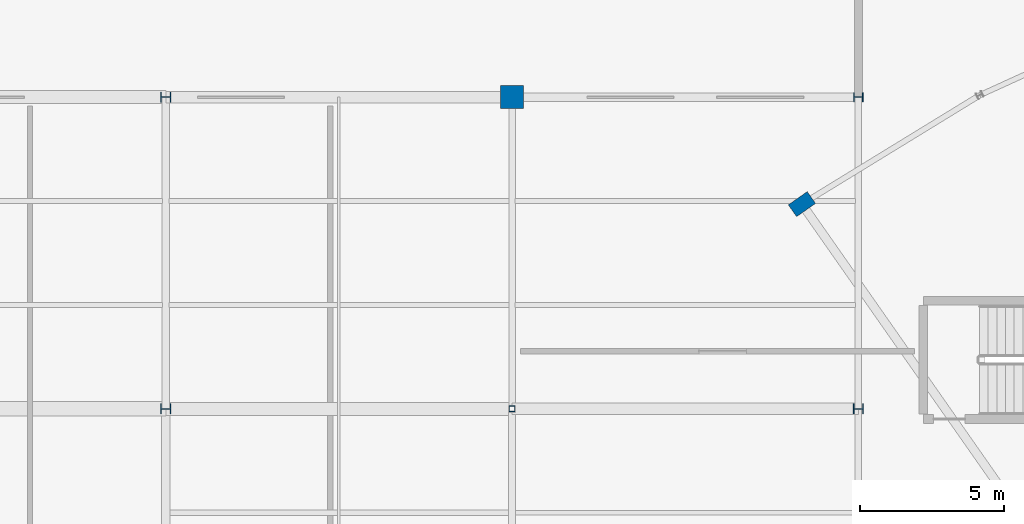
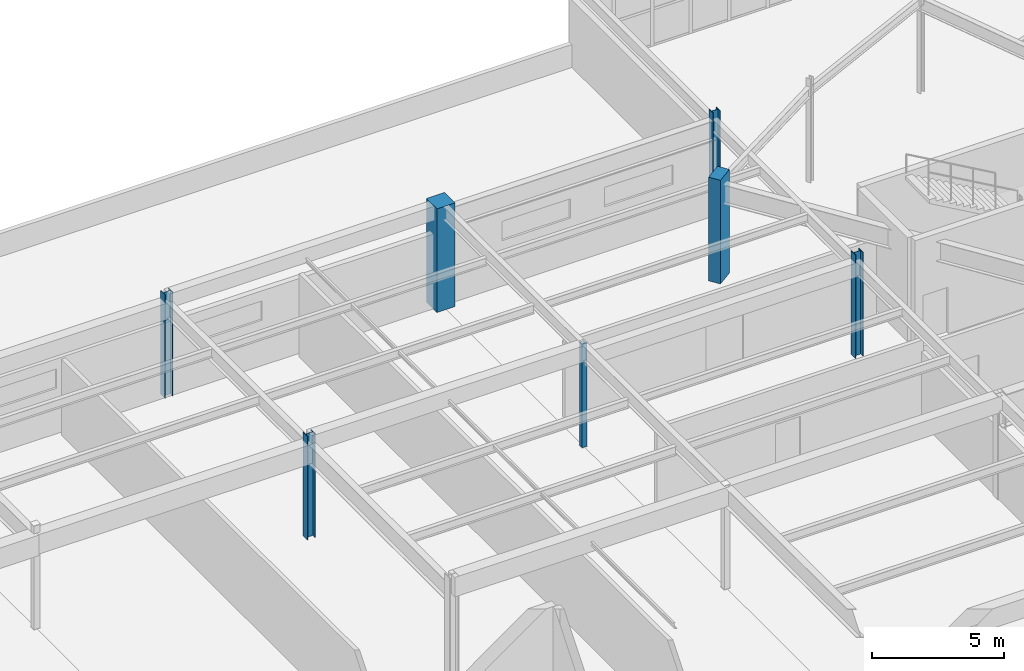
# One storey, part 21 of 186: 7 columns.
"""IFC4 building model written with IfcOpenShell, lengths in metres."""

import ifcopenshell
import ifcopenshell.guid

model = None  # the IFC model being written
_history = None  # IfcOwnerHistory: only IFC2X3 demands one
_inside = {}  # id of a spatial element -> (the spatial element, [elements in it])
_under = {}  # id of a project, library or spatial element -> (it, [spatial elements below it])
_declared = {}  # id of a project -> (the project, [libraries it declares])
_typed = {}  # id of a type object -> (the type object, [elements of that type])
_made_of = {}  # id of a material, layer set ... -> (it, [elements and type objects made of it])


def new_model(schema):
    """Start an empty IFC model of exactly this schema.

    Asked for "IFC4X3", IfcOpenShell would pick the latest addendum, in which some entities
    have other attributes; the version numbers below select the first issue.
    IFC2X3 requires an IfcOwnerHistory on every rooted entity: one is made here for all.
    """
    global model, _history
    if schema == "IFC4X3":
        model = ifcopenshell.file(schema_version=(4, 3, 0, 0))
    else:
        model = ifcopenshell.file(schema=schema)
    _inside.clear()
    _under.clear()
    _declared.clear()
    _typed.clear()
    _made_of.clear()
    _history = None
    if model.schema == "IFC2X3":
        org = make("IfcOrganization", Name="unknown")
        user = make(
            "IfcPersonAndOrganization",
            ThePerson=make("IfcPerson", FamilyName="unknown"),
            TheOrganization=org,
        )
        app = make(
            "IfcApplication",
            ApplicationDeveloper=org,
            Version="unknown",
            ApplicationFullName="unknown",
            ApplicationIdentifier="unknown",
        )
        _history = make(
            "IfcOwnerHistory",
            OwningUser=user,
            OwningApplication=app,
            ChangeAction="ADDED",
            CreationDate=0,
        )
    return model


def make(cls, **values):
    """One entity of the class cls with the attributes given. An attribute that is None is left unset."""
    return model.create_entity(
        cls, **{name: value for name, value in values.items() if value is not None}
    )


def rooted(cls, **values):
    """An entity with a GlobalId (a new one), such as an element, a storey or a relation."""
    return make(cls, GlobalId=ifcopenshell.guid.new(), OwnerHistory=_history, **values)


def si_unit(unit_type, name, prefix=None):
    """IfcSIUnit, for example si_unit("LENGTHUNIT", "METRE", prefix="MILLI")."""
    return make("IfcSIUnit", UnitType=unit_type, Prefix=prefix, Name=name)


def assignment(units):
    """IfcUnitAssignment: the units of a project."""
    return None if units is None else make("IfcUnitAssignment", Units=units)


def point(xyz):
    """IfcCartesianPoint."""
    return None if xyz is None else make("IfcCartesianPoint", Coordinates=xyz)


def direction(xyz):
    """IfcDirection."""
    return None if xyz is None else make("IfcDirection", DirectionRatios=xyz)


def frame(location, z_axis=None, x_axis=None):
    """IfcAxis2Placement3D, a coordinate frame: its origin and axes. An axis left out is left unset."""
    return make(
        "IfcAxis2Placement3D",
        Location=point(location),
        Axis=direction(z_axis),
        RefDirection=direction(x_axis),
    )


def frame_2d(location, x_axis=None):
    """IfcAxis2Placement2D, a coordinate frame in the plane: its origin and x axis."""
    return make(
        "IfcAxis2Placement2D", Location=point(location), RefDirection=direction(x_axis)
    )


def origin():
    """The frame at (0, 0, 0) with its axes left unset."""
    return frame((0.0, 0.0, 0.0))


def origin_2d():
    """The frame at (0, 0) in the plane with its x axis left unset."""
    return frame_2d((0.0, 0.0))


def place(relative_to, where):
    """IfcLocalPlacement: puts the frame where relative to a parent placement (None: the world)."""
    return make(
        "IfcLocalPlacement", PlacementRelTo=relative_to, RelativePlacement=where
    )


def context(
    kind, dimensions, precision=None, world=None, true_north=None, identifier=None
):
    """IfcGeometricRepresentationContext, for example the 3D "Model" context."""
    return make(
        "IfcGeometricRepresentationContext",
        ContextIdentifier=identifier,
        ContextType=kind,
        CoordinateSpaceDimension=dimensions,
        Precision=precision,
        WorldCoordinateSystem=world,
        TrueNorth=true_north,
    )


def subcontext(parent, identifier, kind, view, scale=None):
    """IfcGeometricRepresentationSubContext, for example "Body" below "Model"."""
    return make(
        "IfcGeometricRepresentationSubContext",
        ContextIdentifier=identifier,
        ContextType=kind,
        ParentContext=parent,
        TargetScale=scale,
        TargetView=view,
    )


def project(units=None, contexts=None):
    """IfcProject with its units and contexts."""
    return rooted(
        "IfcProject",
        Name="project",
        RepresentationContexts=contexts,
        UnitsInContext=assignment(units),
    )


def spatial(cls, under=None, at=None, **own):
    """A site, building, storey or space (cls), placed at a placement, below another one or the project."""
    s = rooted(cls, ObjectPlacement=at, **own)
    if under is not None:
        _under.setdefault(under.id(), (under, []))[1].append(s)
    return s


def profile(cls, at=None, kind="AREA", **sizes):
    """A parametric profile (cls). Its sizes go by their IFC names, for example OverallWidth=200.0."""
    return make(cls, ProfileType=kind, Position=at, **sizes)


def rectangle(**sizes):
    """IfcRectangleProfileDef."""
    return profile("IfcRectangleProfileDef", **sizes)


def hollow_rectangle(**sizes):
    """IfcRectangleHollowProfileDef."""
    return profile("IfcRectangleHollowProfileDef", **sizes)


def i_section(**sizes):
    """IfcIShapeProfileDef."""
    return profile("IfcIShapeProfileDef", **sizes)


def extrude(swept, where, along, depth):
    """IfcExtrudedAreaSolid: the profile swept, set in the frame where, extruded along a direction by depth."""
    return make(
        "IfcExtrudedAreaSolid",
        SweptArea=swept,
        Position=where,
        ExtrudedDirection=direction(along),
        Depth=depth,
    )


def shape(context_of_items, identifier, shape_type, items):
    """IfcShapeRepresentation: the items that make up one representation, for example the "Body"."""
    return make(
        "IfcShapeRepresentation",
        ContextOfItems=context_of_items,
        RepresentationIdentifier=identifier,
        RepresentationType=shape_type,
        Items=items,
    )


def material(Name=None, Category=None):
    """IfcMaterial."""
    return make("IfcMaterial", Name=Name, Category=Category)


def material_profile(
    of_material, cross_section, Name=None, Category=None, Priority=None
):
    """IfcMaterialProfile: a cross section and its material."""
    return make(
        "IfcMaterialProfile",
        Name=Name,
        Material=of_material,
        Profile=cross_section,
        Priority=Priority,
        Category=Category,
    )


def profile_set(profiles, Name=None, composite=None):
    """IfcMaterialProfileSet."""
    return make(
        "IfcMaterialProfileSet",
        Name=Name,
        MaterialProfiles=profiles,
        CompositeProfile=composite,
    )


def made_of(thing, what):
    """Note that an element or type object is made of a material, layer set ...; save() writes the relation."""
    if what is not None:
        _made_of.setdefault(what.id(), (what, []))[1].append(thing)
    return thing


def type_object(cls, material=None, **own):
    """A type object (cls), such as IfcWallType, which elements share."""
    return made_of(rooted(cls, **own), material)


def element(
    cls,
    number,
    at=None,
    inside=None,
    cuts=None,
    type_object=None,
    material=None,
    context=None,
    identifier="Body",
    shape_type=None,
    held_by="IfcProductDefinitionShape",
    body=None,
    shapes=None,
    **own,
):
    """One element of the class cls, such as IfcWall. Its Tag is "e" and its number.

    at: its placement. inside: the storey or other place that contains it. cuts: it is an
    opening in that element (IfcRelVoidsElement). A single representation is given by context,
    identifier, shape_type and body (its items); several are given by shapes. held_by: the class
    of the entity that holds the representations. save() writes the other relations.
    """
    e = rooted(cls, Tag="e%d" % number, ObjectPlacement=at, **own)
    if body is not None:
        shapes = [shape(context, identifier, shape_type, body)]
    if shapes is not None:
        e.Representation = make(held_by, Representations=shapes)
    if inside is not None:
        _inside.setdefault(inside.id(), (inside, []))[1].append(e)
    if cuts is not None:
        rooted(
            "IfcRelVoidsElement", RelatingBuildingElement=cuts, RelatedOpeningElement=e
        )
    if type_object is not None:
        _typed.setdefault(type_object.id(), (type_object, []))[1].append(e)
    return made_of(e, material)


def aggregate(whole, parts):
    """IfcRelAggregates: a whole, such as a stair, and the parts it consists of."""
    return rooted("IfcRelAggregates", RelatingObject=whole, RelatedObjects=parts)


def save(model, path):
    """Write the relations noted so far, then the file.

    IfcRelAggregates (storeys below a building ...), IfcRelContainedInSpatialStructure (elements
    in a storey), IfcRelDefinesByType, IfcRelAssociatesMaterial and IfcRelDeclares: one each for
    every whole, place, type object, material and project.
    """
    for whole, parts in _under.values():
        aggregate(whole, parts)
    for where, things in _inside.values():
        rooted(
            "IfcRelContainedInSpatialStructure",
            RelatedElements=things,
            RelatingStructure=where,
        )
    for kind, things in _typed.values():
        rooted("IfcRelDefinesByType", RelatedObjects=things, RelatingType=kind)
    for what, things in _made_of.values():
        rooted("IfcRelAssociatesMaterial", RelatedObjects=things, RelatingMaterial=what)
    for by, libraries in _declared.values():
        rooted("IfcRelDeclares", RelatingContext=by, RelatedDefinitions=libraries)
    model.write(path)


model = new_model("IFC4")

# Units and contexts
model_context = context("Model", 3, precision=1e-05, world=origin(), true_north=direction((0.0, 1.0)))
body_context = subcontext(model_context, "Body", "Model", "MODEL_VIEW")
ifc_project = project(units=[si_unit("LENGTHUNIT", "METRE"), si_unit("AREAUNIT", "SQUARE_METRE"), si_unit("VOLUMEUNIT", "CUBIC_METRE"), si_unit("PLANEANGLEUNIT", "RADIAN"), si_unit("MASSUNIT", "GRAM", prefix="KILO")], contexts=[model_context])

# Site, building, storey
site_placement = place(None, origin())
site = spatial("IfcSite", under=ifc_project, at=site_placement, CompositionType="ELEMENT")
building_placement = place(site_placement, origin())
building = spatial("IfcBuilding", under=site, at=building_placement, Name="Tarnwether General Hospital", CompositionType="ELEMENT")
storey_placement = place(building_placement, frame((0.0, 0.0, 9.60009765625)))
storey = spatial("IfcBuildingStorey", under=building, at=storey_placement, Name="L02", CompositionType="ELEMENT", Elevation=9.60009765625)

# Columns
ifc_material_1 = material(Name="Steel Grade 350 (350 MPa)", Category="steel")
ifc_material_profile_1 = material_profile(ifc_material_1, i_section(OverallWidth=0.35009765625, OverallDepth=0.360107421875, WebThickness=0.01611328125, FlangeThickness=0.028076171875, at=origin_2d()), Name="350WC230")
ifc_profile_set_1 = profile_set([ifc_material_profile_1], Name="Steel Grade 350 (350 MPa)")
column_type_1 = type_object("IfcColumnType", Name="COL-03", PredefinedType="COLUMN", material=ifc_profile_set_1)
column_1_placement = place(storey_placement, frame((36.0, 104.39990234375, 0.0), z_axis=(0.0, 0.0, 1.0), x_axis=(0.0, 1.0, 0.0)))
element("IfcColumn", 1, at=column_1_placement, inside=storey, type_object=column_type_1, Name="Column COLG-L02-3600_10440", PredefinedType="COLUMN", context=body_context, shape_type="SweptSolid", body=[
    extrude(i_section(OverallWidth=0.35009765625, OverallDepth=0.360107421875, WebThickness=0.01611328125, FlangeThickness=0.028076171875, at=origin_2d()), origin(), (0.0, 0.0, 1.0), 4.7998046875),
])
ifc_material_2 = material(Name="Steel Grade 350 (350 MPa)", Category="steel")
ifc_material_profile_2 = material_profile(ifc_material_2, i_section(OverallWidth=0.35009765625, OverallDepth=0.35009765625, WebThickness=0.013916015625, FlangeThickness=0.02392578125, at=origin_2d()), Name="350WC197")
ifc_profile_set_2 = profile_set([ifc_material_profile_2], Name="Steel Grade 350 (350 MPa)")
column_type_2 = type_object("IfcColumnType", Name="COL-04", PredefinedType="COLUMN", material=ifc_profile_set_2)
for number, where, z_axis, x_axis, name in (
    (2, (36.0, 115.199951171875, 0.0), (0.0, 0.0, 1.0), (0.0, 1.0, 0.0), "Column COLG-L02-3600_11520"),
    (3, (60.0, 104.39990234375, 0.0), (0.0, 0.0, 1.0), (0.0, 1.0, 0.0), "Column COLG-L02-6000_10440"),
):
    element("IfcColumn", number, at=place(storey_placement, frame(where, z_axis=z_axis, x_axis=x_axis)), inside=storey, type_object=column_type_2, Name=name, PredefinedType="COLUMN", context=body_context, shape_type="SweptSolid", body=[
        extrude(i_section(OverallWidth=0.35009765625, OverallDepth=0.35009765625, WebThickness=0.013916015625, FlangeThickness=0.02392578125, at=origin_2d()), origin(), (0.0, 0.0, 1.0), 4.7998046875),
    ])
ifc_material_3 = material(Name="Steel Grade 350 (350 MPa)", Category="steel")
ifc_material_profile_3 = material_profile(ifc_material_3, i_section(OverallWidth=0.31103515625, OverallDepth=0.326904296875, WebThickness=0.015625, FlangeThickness=0.02490234375, at=origin_2d()), Name="310UC158")
ifc_profile_set_3 = profile_set([ifc_material_profile_3], Name="Steel Grade 350 (350 MPa)")
column_type_3 = type_object("IfcColumnType", Name="COL-05", PredefinedType="COLUMN", material=ifc_profile_set_3)
column_2_placement = place(storey_placement, frame((60.0, 115.199951171875, 0.0), z_axis=(0.0, 0.0, 1.0), x_axis=(0.0, 1.0, 0.0)))
element("IfcColumn", 4, at=column_2_placement, inside=storey, type_object=column_type_3, Name="Column COLG-L02-6000_11520", PredefinedType="COLUMN", context=body_context, shape_type="SweptSolid", body=[
    extrude(i_section(OverallWidth=0.31103515625, OverallDepth=0.326904296875, WebThickness=0.015625, FlangeThickness=0.02490234375, at=origin_2d()), origin(), (0.0, 0.0, 1.0), 4.7998046875),
])
ifc_material_4 = material(Name="Steel Grade C350L0 (350 MPa)", Category="steel")
ifc_material_profile_4 = material_profile(ifc_material_4, hollow_rectangle(XDim=0.199951171875, YDim=0.199951171875, WallThickness=0.010009765625, at=origin_2d()), Name="SHS200x200x10")
ifc_profile_set_4 = profile_set([ifc_material_profile_4], Name="Steel Grade C350L0 (350 MPa)")
column_type_4 = type_object("IfcColumnType", Name="COL-15", PredefinedType="COLUMN", material=ifc_profile_set_4)
column_3_placement = place(storey_placement, frame((48.0, 104.39990234375, 0.0), z_axis=(0.0, 0.0, 1.0), x_axis=(1.0, 0.0, 0.0)))
element("IfcColumn", 5, at=column_3_placement, inside=storey, type_object=column_type_4, Name="Column COLG-L02-4800_10440", PredefinedType="COLUMN", context=body_context, shape_type="SweptSolid", body=[
    extrude(hollow_rectangle(XDim=0.199951171875, YDim=0.199951171875, WallThickness=0.010009765625, at=origin_2d()), origin(), (0.0, 0.0, 1.0), 4.7998046875),
])
ifc_material_5 = material(Name="Concrete 50 MPa", Category="concrete")
ifc_material_profile_5 = material_profile(ifc_material_5, rectangle(XDim=0.800048828125, YDim=0.800048828125, at=origin_2d()), Name="RC-COL-800x800")
ifc_profile_set_5 = profile_set([ifc_material_profile_5], Name="Concrete 50 MPa")
column_type_5 = type_object("IfcColumnType", Name="COL-16", PredefinedType="COLUMN", material=ifc_profile_set_5)
column_4_placement = place(storey_placement, frame((48.0, 115.199951171875, 0.0), z_axis=(0.0, 0.0, 1.0), x_axis=(1.0, 0.0, 0.0)))
element("IfcColumn", 6, at=column_4_placement, inside=storey, type_object=column_type_5, Name="Column COLG-L02-4800_11520", PredefinedType="COLUMN", context=body_context, shape_type="SweptSolid", body=[
    extrude(rectangle(XDim=0.800048828125, YDim=0.800048828125, at=origin_2d()), origin(), (0.0, 0.0, 1.0), 4.7998046875),
])
ifc_material_6 = material(Name="Concrete 50 MPa", Category="concrete")
ifc_material_profile_6 = material_profile(ifc_material_6, rectangle(XDim=0.5, YDim=0.800048828125, at=origin_2d()), Name="RC-PIL-500x800")
ifc_profile_set_6 = profile_set([ifc_material_profile_6], Name="Concrete 50 MPa")
column_type_6 = type_object("IfcColumnType", Name="COL-23", PredefinedType="PILASTER", material=ifc_profile_set_6)
column_5_placement = place(storey_placement, frame((58.0439453125, 111.493896484375, 0.0), z_axis=(0.0, 0.0, 1.0), x_axis=(-0.573576436351, 0.819152044289, 0.0)))
element("IfcColumn", 7, at=column_5_placement, inside=storey, type_object=column_type_6, Name="Column COLG-L02-5804_11149", PredefinedType="PILASTER", context=body_context, shape_type="SweptSolid", body=[
    extrude(rectangle(XDim=0.5, YDim=0.800048828125, at=origin_2d()), origin(), (0.0, 0.0, 1.0), 4.7998046875),
])

save(model, "model.ifc")
